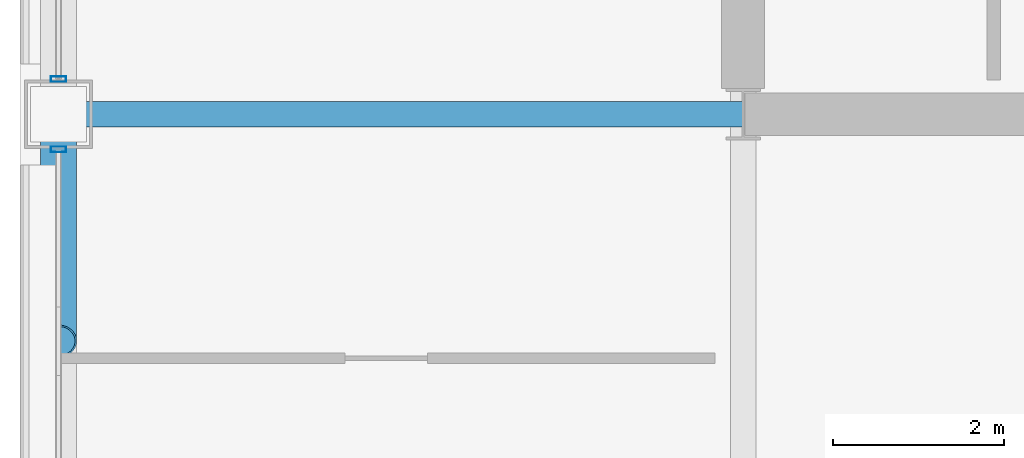
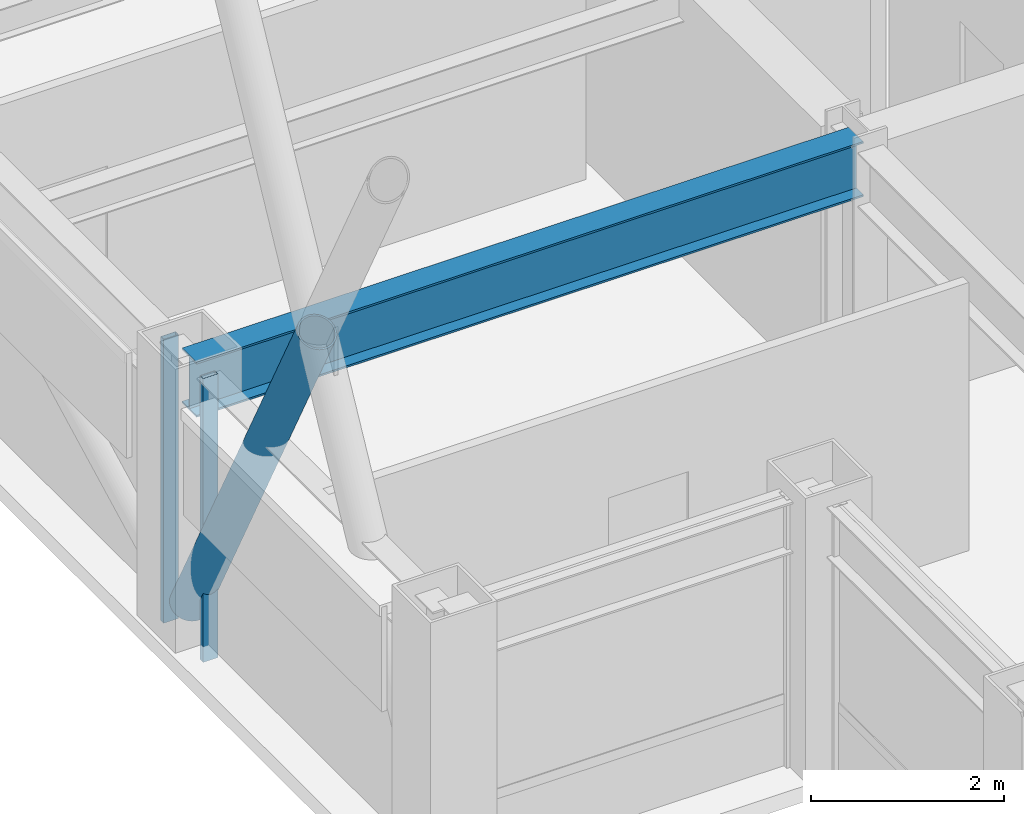
# One storey, part 5 of 35: 3 members, 1 beam, 2 elements without a shape of their own.
"""IFC4 building model written with IfcOpenShell, lengths in metres."""

import ifcopenshell
import ifcopenshell.guid

model = None  # the IFC model being written
_history = None  # IfcOwnerHistory: only IFC2X3 demands one
_inside = {}  # id of a spatial element -> (the spatial element, [elements in it])
_under = {}  # id of a project, library or spatial element -> (it, [spatial elements below it])
_declared = {}  # id of a project -> (the project, [libraries it declares])
_typed = {}  # id of a type object -> (the type object, [elements of that type])
_made_of = {}  # id of a material, layer set ... -> (it, [elements and type objects made of it])


def new_model(schema):
    """Start an empty IFC model of exactly this schema.

    Asked for "IFC4X3", IfcOpenShell would pick the latest addendum, in which some entities
    have other attributes; the version numbers below select the first issue.
    IFC2X3 requires an IfcOwnerHistory on every rooted entity: one is made here for all.
    """
    global model, _history
    if schema == "IFC4X3":
        model = ifcopenshell.file(schema_version=(4, 3, 0, 0))
    else:
        model = ifcopenshell.file(schema=schema)
    _inside.clear()
    _under.clear()
    _declared.clear()
    _typed.clear()
    _made_of.clear()
    _history = None
    if model.schema == "IFC2X3":
        org = make("IfcOrganization", Name="unknown")
        user = make(
            "IfcPersonAndOrganization",
            ThePerson=make("IfcPerson", FamilyName="unknown"),
            TheOrganization=org,
        )
        app = make(
            "IfcApplication",
            ApplicationDeveloper=org,
            Version="unknown",
            ApplicationFullName="unknown",
            ApplicationIdentifier="unknown",
        )
        _history = make(
            "IfcOwnerHistory",
            OwningUser=user,
            OwningApplication=app,
            ChangeAction="ADDED",
            CreationDate=0,
        )
    return model


def make(cls, **values):
    """One entity of the class cls with the attributes given. An attribute that is None is left unset."""
    return model.create_entity(
        cls, **{name: value for name, value in values.items() if value is not None}
    )


def rooted(cls, **values):
    """An entity with a GlobalId (a new one), such as an element, a storey or a relation."""
    return make(cls, GlobalId=ifcopenshell.guid.new(), OwnerHistory=_history, **values)


def si_unit(unit_type, name, prefix=None):
    """IfcSIUnit, for example si_unit("LENGTHUNIT", "METRE", prefix="MILLI")."""
    return make("IfcSIUnit", UnitType=unit_type, Prefix=prefix, Name=name)


def assignment(units):
    """IfcUnitAssignment: the units of a project."""
    return None if units is None else make("IfcUnitAssignment", Units=units)


def point(xyz):
    """IfcCartesianPoint."""
    return None if xyz is None else make("IfcCartesianPoint", Coordinates=xyz)


def direction(xyz):
    """IfcDirection."""
    return None if xyz is None else make("IfcDirection", DirectionRatios=xyz)


def frame(location, z_axis=None, x_axis=None):
    """IfcAxis2Placement3D, a coordinate frame: its origin and axes. An axis left out is left unset."""
    return make(
        "IfcAxis2Placement3D",
        Location=point(location),
        Axis=direction(z_axis),
        RefDirection=direction(x_axis),
    )


def frame_2d(location, x_axis=None):
    """IfcAxis2Placement2D, a coordinate frame in the plane: its origin and x axis."""
    return make(
        "IfcAxis2Placement2D", Location=point(location), RefDirection=direction(x_axis)
    )


def origin():
    """The frame at (0, 0, 0) with its axes left unset."""
    return frame((0.0, 0.0, 0.0))


def origin_2d():
    """The frame at (0, 0) in the plane with its x axis left unset."""
    return frame_2d((0.0, 0.0))


def place(relative_to, where):
    """IfcLocalPlacement: puts the frame where relative to a parent placement (None: the world)."""
    return make(
        "IfcLocalPlacement", PlacementRelTo=relative_to, RelativePlacement=where
    )


def context(
    kind, dimensions, precision=None, world=None, true_north=None, identifier=None
):
    """IfcGeometricRepresentationContext, for example the 3D "Model" context."""
    return make(
        "IfcGeometricRepresentationContext",
        ContextIdentifier=identifier,
        ContextType=kind,
        CoordinateSpaceDimension=dimensions,
        Precision=precision,
        WorldCoordinateSystem=world,
        TrueNorth=true_north,
    )


def subcontext(parent, identifier, kind, view, scale=None):
    """IfcGeometricRepresentationSubContext, for example "Body" below "Model"."""
    return make(
        "IfcGeometricRepresentationSubContext",
        ContextIdentifier=identifier,
        ContextType=kind,
        ParentContext=parent,
        TargetScale=scale,
        TargetView=view,
    )


def project(units=None, contexts=None):
    """IfcProject with its units and contexts."""
    return rooted(
        "IfcProject",
        Name="project",
        RepresentationContexts=contexts,
        UnitsInContext=assignment(units),
    )


def spatial(cls, under=None, at=None, **own):
    """A site, building, storey or space (cls), placed at a placement, below another one or the project."""
    s = rooted(cls, ObjectPlacement=at, **own)
    if under is not None:
        _under.setdefault(under.id(), (under, []))[1].append(s)
    return s


def profile(cls, at=None, kind="AREA", **sizes):
    """A parametric profile (cls). Its sizes go by their IFC names, for example OverallWidth=200.0."""
    return make(cls, ProfileType=kind, Position=at, **sizes)


def hollow_rectangle(**sizes):
    """IfcRectangleHollowProfileDef."""
    return profile("IfcRectangleHollowProfileDef", **sizes)


def hollow_circle(**sizes):
    """IfcCircleHollowProfileDef."""
    return profile("IfcCircleHollowProfileDef", **sizes)


def i_section(**sizes):
    """IfcIShapeProfileDef."""
    return profile("IfcIShapeProfileDef", **sizes)


def extrude(swept, where, along, depth):
    """IfcExtrudedAreaSolid: the profile swept, set in the frame where, extruded along a direction by depth."""
    return make(
        "IfcExtrudedAreaSolid",
        SweptArea=swept,
        Position=where,
        ExtrudedDirection=direction(along),
        Depth=depth,
    )


def shape(context_of_items, identifier, shape_type, items):
    """IfcShapeRepresentation: the items that make up one representation, for example the "Body"."""
    return make(
        "IfcShapeRepresentation",
        ContextOfItems=context_of_items,
        RepresentationIdentifier=identifier,
        RepresentationType=shape_type,
        Items=items,
    )


def material(Name=None, Category=None):
    """IfcMaterial."""
    return make("IfcMaterial", Name=Name, Category=Category)


def layer(
    of_material, thickness, ventilated=None, Name=None, Category=None, Priority=None
):
    """IfcMaterialLayer: one layer of a wall or slab, of a material (None: an air gap)."""
    return make(
        "IfcMaterialLayer",
        Material=of_material,
        LayerThickness=thickness,
        IsVentilated=ventilated,
        Name=Name,
        Category=Category,
        Priority=Priority,
    )


def layer_set(layers, Name=None):
    """IfcMaterialLayerSet."""
    return make("IfcMaterialLayerSet", MaterialLayers=layers, LayerSetName=Name)


def material_profile(
    of_material, cross_section, Name=None, Category=None, Priority=None
):
    """IfcMaterialProfile: a cross section and its material."""
    return make(
        "IfcMaterialProfile",
        Name=Name,
        Material=of_material,
        Profile=cross_section,
        Priority=Priority,
        Category=Category,
    )


def profile_set(profiles, Name=None, composite=None):
    """IfcMaterialProfileSet."""
    return make(
        "IfcMaterialProfileSet",
        Name=Name,
        MaterialProfiles=profiles,
        CompositeProfile=composite,
    )


def made_of(thing, what):
    """Note that an element or type object is made of a material, layer set ...; save() writes the relation."""
    if what is not None:
        _made_of.setdefault(what.id(), (what, []))[1].append(thing)
    return thing


def type_object(cls, material=None, **own):
    """A type object (cls), such as IfcWallType, which elements share."""
    return made_of(rooted(cls, **own), material)


def element(
    cls,
    number,
    at=None,
    inside=None,
    cuts=None,
    type_object=None,
    material=None,
    context=None,
    identifier="Body",
    shape_type=None,
    held_by="IfcProductDefinitionShape",
    body=None,
    shapes=None,
    **own,
):
    """One element of the class cls, such as IfcWall. Its Tag is "e" and its number.

    at: its placement. inside: the storey or other place that contains it. cuts: it is an
    opening in that element (IfcRelVoidsElement). A single representation is given by context,
    identifier, shape_type and body (its items); several are given by shapes. held_by: the class
    of the entity that holds the representations. save() writes the other relations.
    """
    e = rooted(cls, Tag="e%d" % number, ObjectPlacement=at, **own)
    if body is not None:
        shapes = [shape(context, identifier, shape_type, body)]
    if shapes is not None:
        e.Representation = make(held_by, Representations=shapes)
    if inside is not None:
        _inside.setdefault(inside.id(), (inside, []))[1].append(e)
    if cuts is not None:
        rooted(
            "IfcRelVoidsElement", RelatingBuildingElement=cuts, RelatedOpeningElement=e
        )
    if type_object is not None:
        _typed.setdefault(type_object.id(), (type_object, []))[1].append(e)
    return made_of(e, material)


def aggregate(whole, parts):
    """IfcRelAggregates: a whole, such as a stair, and the parts it consists of."""
    return rooted("IfcRelAggregates", RelatingObject=whole, RelatedObjects=parts)


def save(model, path):
    """Write the relations noted so far, then the file.

    IfcRelAggregates (storeys below a building ...), IfcRelContainedInSpatialStructure (elements
    in a storey), IfcRelDefinesByType, IfcRelAssociatesMaterial and IfcRelDeclares: one each for
    every whole, place, type object, material and project.
    """
    for whole, parts in _under.values():
        aggregate(whole, parts)
    for where, things in _inside.values():
        rooted(
            "IfcRelContainedInSpatialStructure",
            RelatedElements=things,
            RelatingStructure=where,
        )
    for kind, things in _typed.values():
        rooted("IfcRelDefinesByType", RelatedObjects=things, RelatingType=kind)
    for what, things in _made_of.values():
        rooted("IfcRelAssociatesMaterial", RelatedObjects=things, RelatingMaterial=what)
    for by, libraries in _declared.values():
        rooted("IfcRelDeclares", RelatingContext=by, RelatedDefinitions=libraries)
    model.write(path)


model = new_model("IFC4")

# Units and contexts
model_context = context("Model", 3, precision=1e-05, world=origin(), true_north=direction((0.0, 1.0)))
body_context = subcontext(model_context, "Body", "Model", "MODEL_VIEW")
ifc_project = project(units=[si_unit("LENGTHUNIT", "METRE"), si_unit("AREAUNIT", "SQUARE_METRE"), si_unit("VOLUMEUNIT", "CUBIC_METRE"), si_unit("PLANEANGLEUNIT", "RADIAN"), si_unit("MASSUNIT", "GRAM", prefix="KILO")], contexts=[model_context])

# Site, building, storey
site_placement = place(None, origin())
site = spatial("IfcSite", under=ifc_project, at=site_placement, CompositionType="ELEMENT")
building_placement = place(site_placement, origin())
building = spatial("IfcBuilding", under=site, at=building_placement, Name="Brelmoor Portico Tower", CompositionType="ELEMENT")
storey_placement = place(building_placement, frame((0.0, 0.0, 131.39990234375)))
storey = spatial("IfcBuildingStorey", under=building, at=storey_placement, Name="L34", CompositionType="ELEMENT", Elevation=131.39990234375)

# Beam
ifc_material_1 = material(Name="Steel Q355B", Category="steel")
ifc_material_profile_1 = material_profile(ifc_material_1, i_section(OverallWidth=0.300048828125, OverallDepth=0.699951171875, WebThickness=0.012939453125, FlangeThickness=0.02392578125, at=origin_2d()), Name="HN 700x300x13x24")
ifc_profile_set_1 = profile_set([ifc_material_profile_1], Name="Steel Q355B")
beam_type = type_object("IfcBeamType", Name="BM-PG-700", PredefinedType="BEAM", material=ifc_profile_set_1)
beam_placement = place(storey_placement, frame((-22.550048828125, -9.75, 3.050048828125), z_axis=(1.0, 0.0, 0.0), x_axis=(0.0, 1.0, 0.0)))
element("IfcBeam", 1, at=beam_placement, inside=storey, type_object=beam_type, Name="L34 Primary Floor Girder PG-14", PredefinedType="BEAM", context=body_context, shape_type="SweptSolid", body=[
    extrude(i_section(OverallWidth=0.300048828125, OverallDepth=0.699951171875, WebThickness=0.012939453125, FlangeThickness=0.02392578125, at=origin_2d()), origin(), (0.0, 0.0, 1.0), 8.0),
])

# Member
ifc_material_profile_2 = material_profile(ifc_material_1, hollow_circle(Radius=0.212890625, WallThickness=0.02001953125, at=origin_2d()), Name="CHS 426x20")
ifc_profile_set_2 = profile_set([ifc_material_profile_2], Name="Steel Q355B")
member_type_1 = type_object("IfcMemberType", Name="MB-BELT-DIAG1", PredefinedType="BRACE", material=ifc_profile_set_2)
member_1_placement = place(storey_placement, frame((-22.550048828125, -9.75, 0.25), z_axis=(0.0, -0.464645119255, 0.885496986529), x_axis=(1.0, 0.0, 0.0)))
element("IfcMember", 2, at=member_1_placement, inside=storey, type_object=member_type_1, Name="L34 Split Mega-X Brace 079B1", PredefinedType="BRACE", context=body_context, shape_type="SweptSolid", body=[
    extrude(hollow_circle(Radius=0.212890625, WallThickness=0.02001953125, at=origin_2d()), origin(), (0.0, 0.0, 1.0), 5.703125),
])

# Curtain wall, member
ifc_material_2 = material(Name="Anodised Aluminium Alloy 6063-T6", Category="aluminium")
ifc_layer = layer(ifc_material_2, 0.179931640625)
ifc_layer_set = layer_set([ifc_layer], Name="Anodised Aluminium Alloy 6063-T6")
curtain_wall_type = type_object("IfcCurtainWallType", Name="CW-TOWER-Z2-XB", PredefinedType="NOTDEFINED", material=ifc_layer_set)
curtain_wall_1_placement = place(storey_placement, origin())
curtain_wall_1 = element("IfcCurtainWall", 3, at=curtain_wall_1_placement, inside=storey, type_object=curtain_wall_type, Name="L34 Curtain Wall CW-L34-03-1", PredefinedType="NOTDEFINED")
ifc_material_profile_3 = material_profile(ifc_material_2, hollow_rectangle(XDim=0.06494140625, YDim=0.179931640625, WallThickness=0.00390625, at=origin_2d()), Name="ALU MULLION 65x180")
ifc_profile_set_3 = profile_set([ifc_material_profile_3], Name="Anodised Aluminium Alloy 6063-T6")
member_type_2 = type_object("IfcMemberType", Name="MB-CW-MULL-180", PredefinedType="MULLION", material=ifc_profile_set_3)
member_2_placement = place(storey_placement, frame((-22.550048828125, -10.159912109375, -0.199951171875), z_axis=(0.0, 0.0, 1.0), x_axis=(0.0, 1.0, 0.0)))
member_2 = element("IfcMember", 4, at=member_2_placement, type_object=member_type_2, Name="CW-L34-03-1 Mullion 01", PredefinedType="MULLION", context=body_context, shape_type="SweptSolid", body=[
    extrude(hollow_rectangle(XDim=0.06494140625, YDim=0.179931640625, WallThickness=0.00390625, at=origin_2d()), origin(), (0.0, 0.0, 1.0), 3.60009765625),
])
aggregate(curtain_wall_1, [member_2])

curtain_wall_2_placement = place(storey_placement, origin())
curtain_wall_2 = element("IfcCurtainWall", 5, at=curtain_wall_2_placement, inside=storey, type_object=curtain_wall_type, Name="L34 Curtain Wall CW-L34-03-2", PredefinedType="NOTDEFINED")
member_3_placement = place(storey_placement, frame((-22.550048828125, -9.340087890625, -0.199951171875), z_axis=(0.0, 0.0, 1.0), x_axis=(0.0, 1.0, 0.0)))
member_3 = element("IfcMember", 6, at=member_3_placement, type_object=member_type_2, Name="CW-L34-03-2 Mullion 00", PredefinedType="MULLION", context=body_context, shape_type="SweptSolid", body=[
    extrude(hollow_rectangle(XDim=0.06494140625, YDim=0.179931640625, WallThickness=0.00390625, at=origin_2d()), origin(), (0.0, 0.0, 1.0), 3.60009765625),
])
aggregate(curtain_wall_2, [member_3])

save(model, "model.ifc")
